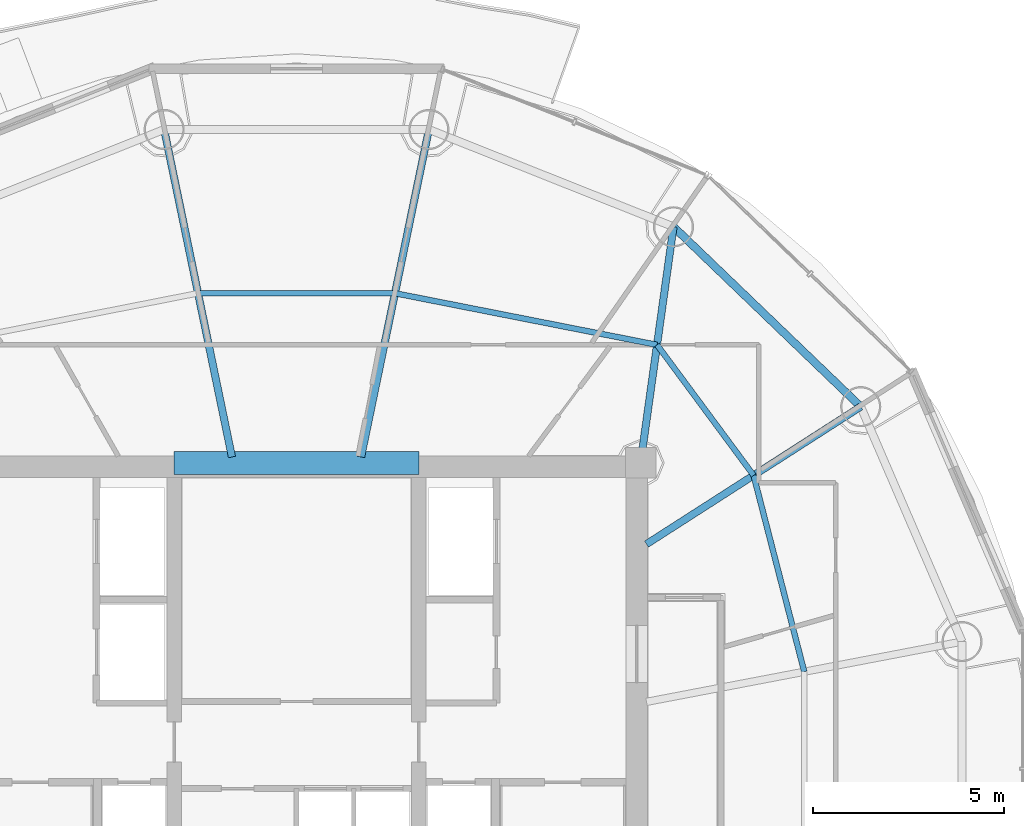
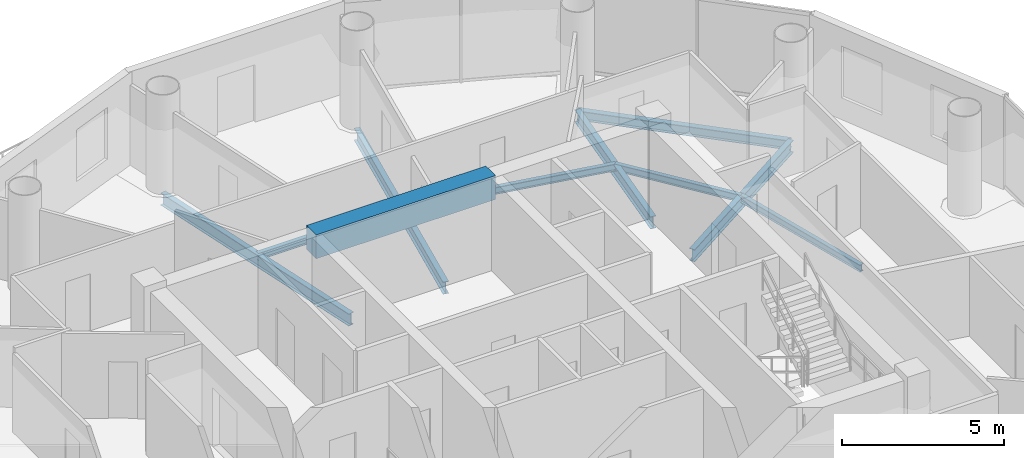
# One storey, part 10 of 24: 10 beams.
"""IFC4 building model written with IfcOpenShell, lengths in metres."""

import ifcopenshell
import ifcopenshell.guid

model = None  # the IFC model being written
_history = None  # IfcOwnerHistory: only IFC2X3 demands one
_inside = {}  # id of a spatial element -> (the spatial element, [elements in it])
_under = {}  # id of a project, library or spatial element -> (it, [spatial elements below it])
_declared = {}  # id of a project -> (the project, [libraries it declares])
_typed = {}  # id of a type object -> (the type object, [elements of that type])
_made_of = {}  # id of a material, layer set ... -> (it, [elements and type objects made of it])


def new_model(schema):
    """Start an empty IFC model of exactly this schema.

    Asked for "IFC4X3", IfcOpenShell would pick the latest addendum, in which some entities
    have other attributes; the version numbers below select the first issue.
    IFC2X3 requires an IfcOwnerHistory on every rooted entity: one is made here for all.
    """
    global model, _history
    if schema == "IFC4X3":
        model = ifcopenshell.file(schema_version=(4, 3, 0, 0))
    else:
        model = ifcopenshell.file(schema=schema)
    _inside.clear()
    _under.clear()
    _declared.clear()
    _typed.clear()
    _made_of.clear()
    _history = None
    if model.schema == "IFC2X3":
        org = make("IfcOrganization", Name="unknown")
        user = make(
            "IfcPersonAndOrganization",
            ThePerson=make("IfcPerson", FamilyName="unknown"),
            TheOrganization=org,
        )
        app = make(
            "IfcApplication",
            ApplicationDeveloper=org,
            Version="unknown",
            ApplicationFullName="unknown",
            ApplicationIdentifier="unknown",
        )
        _history = make(
            "IfcOwnerHistory",
            OwningUser=user,
            OwningApplication=app,
            ChangeAction="ADDED",
            CreationDate=0,
        )
    return model


def make(cls, **values):
    """One entity of the class cls with the attributes given. An attribute that is None is left unset."""
    return model.create_entity(
        cls, **{name: value for name, value in values.items() if value is not None}
    )


def rooted(cls, **values):
    """An entity with a GlobalId (a new one), such as an element, a storey or a relation."""
    return make(cls, GlobalId=ifcopenshell.guid.new(), OwnerHistory=_history, **values)


def si_unit(unit_type, name, prefix=None):
    """IfcSIUnit, for example si_unit("LENGTHUNIT", "METRE", prefix="MILLI")."""
    return make("IfcSIUnit", UnitType=unit_type, Prefix=prefix, Name=name)


def assignment(units):
    """IfcUnitAssignment: the units of a project."""
    return None if units is None else make("IfcUnitAssignment", Units=units)


def point(xyz):
    """IfcCartesianPoint."""
    return None if xyz is None else make("IfcCartesianPoint", Coordinates=xyz)


def direction(xyz):
    """IfcDirection."""
    return None if xyz is None else make("IfcDirection", DirectionRatios=xyz)


def frame(location, z_axis=None, x_axis=None):
    """IfcAxis2Placement3D, a coordinate frame: its origin and axes. An axis left out is left unset."""
    return make(
        "IfcAxis2Placement3D",
        Location=point(location),
        Axis=direction(z_axis),
        RefDirection=direction(x_axis),
    )


def frame_2d(location, x_axis=None):
    """IfcAxis2Placement2D, a coordinate frame in the plane: its origin and x axis."""
    return make(
        "IfcAxis2Placement2D", Location=point(location), RefDirection=direction(x_axis)
    )


def origin():
    """The frame at (0, 0, 0) with its axes left unset."""
    return frame((0.0, 0.0, 0.0))


def origin_2d():
    """The frame at (0, 0) in the plane with its x axis left unset."""
    return frame_2d((0.0, 0.0))


def place(relative_to, where):
    """IfcLocalPlacement: puts the frame where relative to a parent placement (None: the world)."""
    return make(
        "IfcLocalPlacement", PlacementRelTo=relative_to, RelativePlacement=where
    )


def context(
    kind, dimensions, precision=None, world=None, true_north=None, identifier=None
):
    """IfcGeometricRepresentationContext, for example the 3D "Model" context."""
    return make(
        "IfcGeometricRepresentationContext",
        ContextIdentifier=identifier,
        ContextType=kind,
        CoordinateSpaceDimension=dimensions,
        Precision=precision,
        WorldCoordinateSystem=world,
        TrueNorth=true_north,
    )


def subcontext(parent, identifier, kind, view, scale=None):
    """IfcGeometricRepresentationSubContext, for example "Body" below "Model"."""
    return make(
        "IfcGeometricRepresentationSubContext",
        ContextIdentifier=identifier,
        ContextType=kind,
        ParentContext=parent,
        TargetScale=scale,
        TargetView=view,
    )


def project(units=None, contexts=None):
    """IfcProject with its units and contexts."""
    return rooted(
        "IfcProject",
        Name="project",
        RepresentationContexts=contexts,
        UnitsInContext=assignment(units),
    )


def spatial(cls, under=None, at=None, **own):
    """A site, building, storey or space (cls), placed at a placement, below another one or the project."""
    s = rooted(cls, ObjectPlacement=at, **own)
    if under is not None:
        _under.setdefault(under.id(), (under, []))[1].append(s)
    return s


def profile(cls, at=None, kind="AREA", **sizes):
    """A parametric profile (cls). Its sizes go by their IFC names, for example OverallWidth=200.0."""
    return make(cls, ProfileType=kind, Position=at, **sizes)


def rectangle(**sizes):
    """IfcRectangleProfileDef."""
    return profile("IfcRectangleProfileDef", **sizes)


def i_section(**sizes):
    """IfcIShapeProfileDef."""
    return profile("IfcIShapeProfileDef", **sizes)


def extrude(swept, where, along, depth):
    """IfcExtrudedAreaSolid: the profile swept, set in the frame where, extruded along a direction by depth."""
    return make(
        "IfcExtrudedAreaSolid",
        SweptArea=swept,
        Position=where,
        ExtrudedDirection=direction(along),
        Depth=depth,
    )


def shape(context_of_items, identifier, shape_type, items):
    """IfcShapeRepresentation: the items that make up one representation, for example the "Body"."""
    return make(
        "IfcShapeRepresentation",
        ContextOfItems=context_of_items,
        RepresentationIdentifier=identifier,
        RepresentationType=shape_type,
        Items=items,
    )


def material(Name=None, Category=None):
    """IfcMaterial."""
    return make("IfcMaterial", Name=Name, Category=Category)


def material_profile(
    of_material, cross_section, Name=None, Category=None, Priority=None
):
    """IfcMaterialProfile: a cross section and its material."""
    return make(
        "IfcMaterialProfile",
        Name=Name,
        Material=of_material,
        Profile=cross_section,
        Priority=Priority,
        Category=Category,
    )


def profile_set(profiles, Name=None, composite=None):
    """IfcMaterialProfileSet."""
    return make(
        "IfcMaterialProfileSet",
        Name=Name,
        MaterialProfiles=profiles,
        CompositeProfile=composite,
    )


def made_of(thing, what):
    """Note that an element or type object is made of a material, layer set ...; save() writes the relation."""
    if what is not None:
        _made_of.setdefault(what.id(), (what, []))[1].append(thing)
    return thing


def type_object(cls, material=None, **own):
    """A type object (cls), such as IfcWallType, which elements share."""
    return made_of(rooted(cls, **own), material)


def element(
    cls,
    number,
    at=None,
    inside=None,
    cuts=None,
    type_object=None,
    material=None,
    context=None,
    identifier="Body",
    shape_type=None,
    held_by="IfcProductDefinitionShape",
    body=None,
    shapes=None,
    **own,
):
    """One element of the class cls, such as IfcWall. Its Tag is "e" and its number.

    at: its placement. inside: the storey or other place that contains it. cuts: it is an
    opening in that element (IfcRelVoidsElement). A single representation is given by context,
    identifier, shape_type and body (its items); several are given by shapes. held_by: the class
    of the entity that holds the representations. save() writes the other relations.
    """
    e = rooted(cls, Tag="e%d" % number, ObjectPlacement=at, **own)
    if body is not None:
        shapes = [shape(context, identifier, shape_type, body)]
    if shapes is not None:
        e.Representation = make(held_by, Representations=shapes)
    if inside is not None:
        _inside.setdefault(inside.id(), (inside, []))[1].append(e)
    if cuts is not None:
        rooted(
            "IfcRelVoidsElement", RelatingBuildingElement=cuts, RelatedOpeningElement=e
        )
    if type_object is not None:
        _typed.setdefault(type_object.id(), (type_object, []))[1].append(e)
    return made_of(e, material)


def aggregate(whole, parts):
    """IfcRelAggregates: a whole, such as a stair, and the parts it consists of."""
    return rooted("IfcRelAggregates", RelatingObject=whole, RelatedObjects=parts)


def save(model, path):
    """Write the relations noted so far, then the file.

    IfcRelAggregates (storeys below a building ...), IfcRelContainedInSpatialStructure (elements
    in a storey), IfcRelDefinesByType, IfcRelAssociatesMaterial and IfcRelDeclares: one each for
    every whole, place, type object, material and project.
    """
    for whole, parts in _under.values():
        aggregate(whole, parts)
    for where, things in _inside.values():
        rooted(
            "IfcRelContainedInSpatialStructure",
            RelatedElements=things,
            RelatingStructure=where,
        )
    for kind, things in _typed.values():
        rooted("IfcRelDefinesByType", RelatedObjects=things, RelatingType=kind)
    for what, things in _made_of.values():
        rooted("IfcRelAssociatesMaterial", RelatedObjects=things, RelatingMaterial=what)
    for by, libraries in _declared.values():
        rooted("IfcRelDeclares", RelatingContext=by, RelatedDefinitions=libraries)
    model.write(path)


model = new_model("IFC4")

# Units and contexts
model_context = context("Model", 3, precision=1e-05, world=origin(), true_north=direction((-0.2419218956, 0.970295726276)))
body_context = subcontext(model_context, "Body", "Model", "MODEL_VIEW")
ifc_project = project(units=[si_unit("LENGTHUNIT", "METRE"), si_unit("AREAUNIT", "SQUARE_METRE"), si_unit("VOLUMEUNIT", "CUBIC_METRE"), si_unit("PLANEANGLEUNIT", "RADIAN"), si_unit("MASSUNIT", "GRAM", prefix="KILO")], contexts=[model_context])

# Site, building, storey
site_placement = place(None, origin())
site = spatial("IfcSite", under=ifc_project, at=site_placement, CompositionType="ELEMENT")
building_placement = place(site_placement, origin())
building = spatial("IfcBuilding", under=site, at=building_placement, Name="Cobrevalo Terracotta Tower", CompositionType="ELEMENT")
storey_placement = place(building_placement, frame((0.0, 0.0, 293.199951171875)))
storey = spatial("IfcBuildingStorey", under=building, at=storey_placement, Name="L77", CompositionType="ELEMENT", Elevation=293.199951171875)

# Beams
ifc_material_1 = material(Name="Concrete C60", Category="concrete")
ifc_material_profile_1 = material_profile(ifc_material_1, rectangle(XDim=0.60009765625, YDim=0.89990234375, at=origin_2d()), Name="RC CB 600x900")
ifc_profile_set_1 = profile_set([ifc_material_profile_1], Name="Concrete C60")
beam_type_1 = type_object("IfcBeamType", Name="Structural Beam RC CB 600x900 (Concrete C60)", PredefinedType="BEAM", material=ifc_profile_set_1)
beam_1_placement = place(storey_placement, frame((34.800048828125, 34.800048828125, 3.0400390625), z_axis=(1.0, 0.0, 0.0), x_axis=(0.0, 1.0, 0.0)))
element("IfcBeam", 1, at=beam_1_placement, inside=storey, type_object=beam_type_1, Name="L77 core coupling beam 2", PredefinedType="BEAM", context=body_context, shape_type="SweptSolid", body=[
    extrude(rectangle(XDim=0.60009765625, YDim=0.89990234375, at=origin_2d()), origin(), (0.0, 0.0, 1.0), 6.39990234375),
])
ifc_material_2 = material(Name="Steel S355", Category="steel")
ifc_material_profile_2 = material_profile(ifc_material_2, i_section(OverallWidth=0.19091796875, OverallDepth=0.4599609375, WebThickness=0.010009765625, FlangeThickness=0.01611328125, at=origin_2d()), Name="W 460x82")
ifc_profile_set_2 = profile_set([ifc_material_profile_2], Name="Steel S355")
beam_type_2 = type_object("IfcBeamType", Name="Structural Beam W 460x82 (Steel S355)", PredefinedType="BEAM", material=ifc_profile_set_2)
beam_2_placement = place(storey_placement, frame((52.758544921875, 36.2724609375, -0.489990234375), z_axis=(-0.84157615512, -0.540138477739, 0.0), x_axis=(0.540138477739, -0.84157615512, 0.0)))
element("IfcBeam", 2, at=beam_2_placement, inside=storey, type_object=beam_type_2, Name="L77 radial floor girder 02", PredefinedType="BEAM", context=body_context, shape_type="SweptSolid", body=[
    extrude(i_section(OverallWidth=0.19091796875, OverallDepth=0.4599609375, WebThickness=0.010009765625, FlangeThickness=0.01611328125, at=origin_2d()), origin(), (0.0, 0.0, 1.0), 6.658447265625),
])
beam_3_placement = place(storey_placement, frame((47.861328125, 40.9765625, -0.489990234375), z_axis=(-0.138115657759, -0.990416107039, 0.0), x_axis=(0.990416107039, -0.138115657759, 0.0)))
element("IfcBeam", 3, at=beam_3_placement, inside=storey, type_object=beam_type_2, Name="L77 radial floor girder 03", PredefinedType="BEAM", context=body_context, shape_type="SweptSolid", body=[
    extrude(i_section(OverallWidth=0.19091796875, OverallDepth=0.4599609375, WebThickness=0.010009765625, FlangeThickness=0.01611328125, at=origin_2d()), origin(), (0.0, 0.0, 1.0), 6.236328125),
])
for number, where, z_axis, x_axis, name in (
    (4, (41.462890625, 43.5224609375, -0.489990234375), (-0.202781841237, -0.9792239401, 0.0), (0.9792239401, -0.202781841237, 0.0), "L77 radial floor girder 04"),
    (5, (34.537109375, 43.5224609375, -0.489990234375), (0.202781841237, -0.9792239401, 0.0), (0.9792239401, 0.202781841237, 0.0), "L77 radial floor girder 05"),
):
    element("IfcBeam", number, at=place(storey_placement, frame(where, z_axis=z_axis, x_axis=x_axis)), inside=storey, type_object=beam_type_2, Name=name, PredefinedType="BEAM", context=body_context, shape_type="SweptSolid", body=[
        extrude(i_section(OverallWidth=0.19091796875, OverallDepth=0.4599609375, WebThickness=0.010009765625, FlangeThickness=0.01611328125, at=origin_2d()), origin(), (0.0, 0.0, 1.0), 8.749267578125),
    ])
ifc_material_profile_3 = material_profile(ifc_material_2, i_section(OverallWidth=0.14794921875, OverallDepth=0.26611328125, WebThickness=0.007568359375, FlangeThickness=0.012939453125, at=origin_2d()), Name="W 250x44.8")
ifc_profile_set_3 = profile_set([ifc_material_profile_3], Name="Steel S355")
beam_type_3 = type_object("IfcBeamType", Name="Structural Joist W 250x44.8 (Steel S355)", PredefinedType="JOIST", material=ifc_profile_set_3)
beam_4_placement = place(storey_placement, frame((51.281982421875, 29.337646484375, -0.39306640625), z_axis=(-0.249816773293, 0.968293126993, 0.0), x_axis=(-0.968293126993, -0.249816773293, 0.0)))
element("IfcBeam", 6, at=beam_4_placement, inside=storey, type_object=beam_type_3, Name="L77 circumferential secondary floor joist 01", PredefinedType="JOIST", context=body_context, shape_type="SweptSolid", body=[
    extrude(i_section(OverallWidth=0.14794921875, OverallDepth=0.26611328125, WebThickness=0.007568359375, FlangeThickness=0.012939453125, at=origin_2d()), origin(), (0.0, 0.0, 1.0), 5.3046875),
])
beam_5_placement = place(storey_placement, frame((49.956787109375, 34.47412109375, -0.39306640625), z_axis=(-0.594799916617, 0.803873783123, 0.0), x_axis=(-0.803873783123, -0.594799916617, 0.0)))
element("IfcBeam", 7, at=beam_5_placement, inside=storey, type_object=beam_type_3, Name="L77 circumferential secondary floor joist 02", PredefinedType="JOIST", context=body_context, shape_type="SweptSolid", body=[
    extrude(i_section(OverallWidth=0.14794921875, OverallDepth=0.26611328125, WebThickness=0.007568359375, FlangeThickness=0.012939453125, at=origin_2d()), origin(), (0.0, 0.0, 1.0), 4.2470703125),
])
beam_6_placement = place(storey_placement, frame((47.4306640625, 37.88818359375, -0.39306640625), z_axis=(-0.98113843359, 0.19330642548, 0.0), x_axis=(-0.19330642548, -0.98113843359, 0.0)))
element("IfcBeam", 8, at=beam_6_placement, inside=storey, type_object=beam_type_3, Name="L77 circumferential secondary floor joist 03", PredefinedType="JOIST", context=body_context, shape_type="SweptSolid", body=[
    extrude(i_section(OverallWidth=0.14794921875, OverallDepth=0.26611328125, WebThickness=0.007568359375, FlangeThickness=0.012939453125, at=origin_2d()), origin(), (0.0, 0.0, 1.0), 6.98681640625),
])
beam_7_placement = place(storey_placement, frame((40.57568359375, 39.23876953125, -0.39306640625), z_axis=(-1.0, 0.0, 0.0), x_axis=(0.0, -1.0, 0.0)))
element("IfcBeam", 9, at=beam_7_placement, inside=storey, type_object=beam_type_3, Name="L77 circumferential secondary floor joist 04", PredefinedType="JOIST", context=body_context, shape_type="SweptSolid", body=[
    extrude(i_section(OverallWidth=0.14794921875, OverallDepth=0.26611328125, WebThickness=0.007568359375, FlangeThickness=0.012939453125, at=origin_2d()), origin(), (0.0, 0.0, 1.0), 5.1513671875),
])
ifc_material_profile_4 = material_profile(ifc_material_2, i_section(OverallWidth=0.205078125, OverallDepth=0.35400390625, WebThickness=0.009521484375, FlangeThickness=0.016845703125, at=origin_2d()), Name="W 360x79")
ifc_profile_set_4 = profile_set([ifc_material_profile_4], Name="Steel S355")
beam_type_4 = type_object("IfcBeamType", Name="Structural Spandrel W 360x79 (Steel S355)", PredefinedType="SPANDREL", material=ifc_profile_set_4)
beam_8_placement = place(storey_placement, frame((52.758544921875, 36.2724609375, -0.43701171875), z_axis=(-0.721183246144, 0.692744343522, 0.0), x_axis=(-0.692744343522, -0.721183246144, 0.0)))
element("IfcBeam", 10, at=beam_8_placement, inside=storey, type_object=beam_type_4, Name="L77 perimeter ring spandrel 02", PredefinedType="SPANDREL", context=body_context, shape_type="SweptSolid", body=[
    extrude(i_section(OverallWidth=0.205078125, OverallDepth=0.35400390625, WebThickness=0.009521484375, FlangeThickness=0.016845703125, at=origin_2d()), origin(), (0.0, 0.0, 1.0), 6.79052734375),
])

save(model, "model.ifc")
